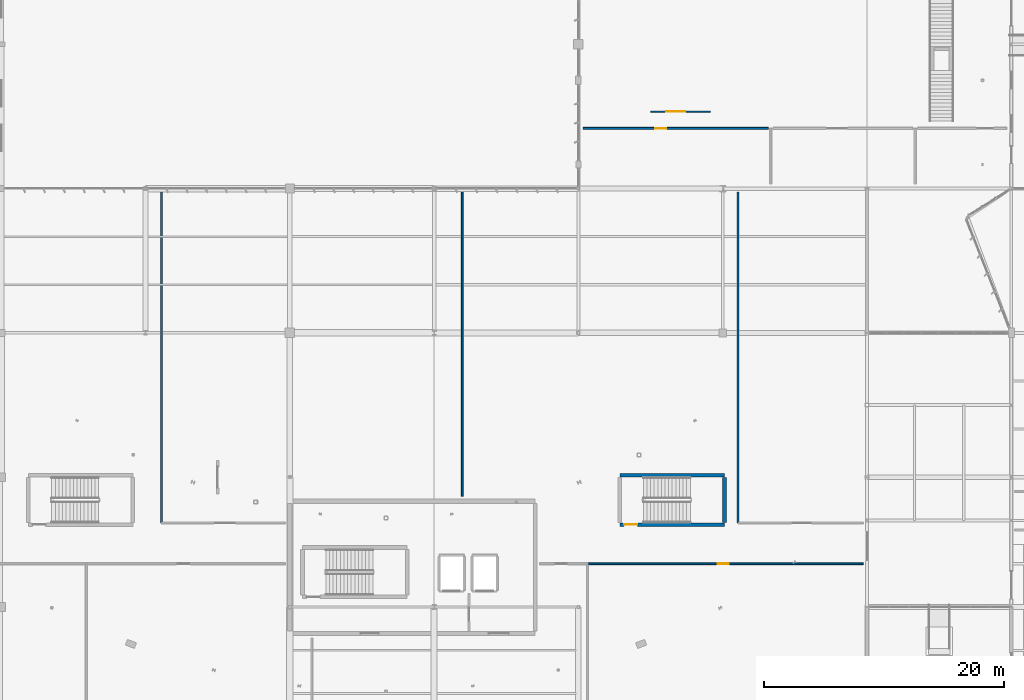
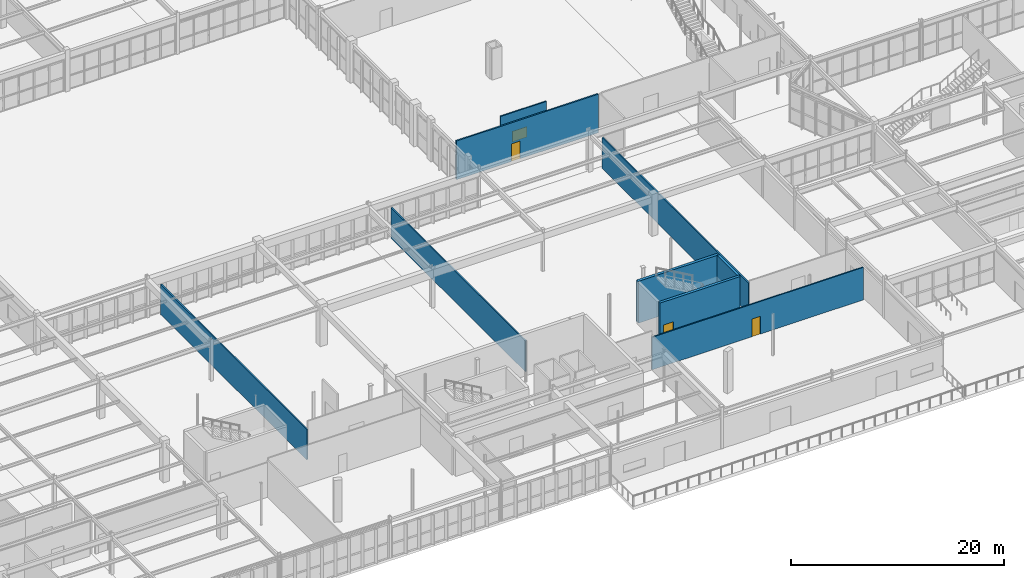
# One storey, part 162 of 199: 9 walls, 3 doors, 1 window, 4 openings.
"""IFC4 building model written with IfcOpenShell, lengths in metres."""

from ifc_helpers import new_model, si_unit, direction, frame, frame_2d, origin, place, context, subcontext, project, spatial, rectangle, extrude, material, layer, layer_set, type_object, element, fill, save


model = new_model("IFC4")

# Units and contexts
model_context = context("Model", 3, precision=1e-05, world=origin(), true_north=direction((0.0, 1.0)))
body_context = subcontext(model_context, "Body", "Model", "MODEL_VIEW")
ifc_project = project(units=[si_unit("LENGTHUNIT", "METRE"), si_unit("AREAUNIT", "SQUARE_METRE"), si_unit("VOLUMEUNIT", "CUBIC_METRE"), si_unit("PLANEANGLEUNIT", "RADIAN"), si_unit("MASSUNIT", "GRAM", prefix="KILO")], contexts=[model_context])

# Site, building, storey
site_placement = place(None, origin())
site = spatial("IfcSite", under=ifc_project, at=site_placement, CompositionType="ELEMENT")
building_placement = place(site_placement, origin())
building = spatial("IfcBuilding", under=site, at=building_placement, Name="Tarnwether General Hospital", CompositionType="ELEMENT")
storey_placement = place(building_placement, origin())
storey = spatial("IfcBuildingStorey", under=building, at=storey_placement, Name="L00", CompositionType="ELEMENT", Elevation=0.0)

# Wall, opening, door
ifc_material_1 = material(Name="Gypsum plasterboard")
ifc_layer_1 = layer(ifc_material_1, 0.139892578125)
ifc_layer_set_1 = layer_set([ifc_layer_1], Name="Gypsum plasterboard")
wall_type_1 = type_object("IfcWallType", Name="WL-PT140", PredefinedType="PARTITIONING", material=ifc_layer_set_1)
wall_1_placement = place(storey_placement, frame((108.764892578125, 14.39990234375, 0.0), z_axis=(0.0, 0.0, 1.0), x_axis=(1.0, 0.0, 0.0)))
wall_1 = element("IfcWall", 1, at=wall_1_placement, inside=storey, type_object=wall_type_1, Name="Interior Partition PT-L00-0114", PredefinedType="PARTITIONING", context=body_context, shape_type="SweptSolid", body=[
    extrude(rectangle(XDim=22.93505859375, YDim=0.139892578125, at=frame_2d((11.467529296875, 0.0))), origin(), (0.0, 0.0, 1.0), 3.738037109375),
])
opening_1_placement = place(wall_1_placement, frame((10.81689453125, 0.0, 0.0)))
opening_1 = element("IfcOpeningElement", 2, at=opening_1_placement, cuts=wall_1, Name="Opening D-12", PredefinedType="OPENING", context=body_context, shape_type="SweptSolid", body=[
    extrude(rectangle(XDim=0.919921875, YDim=2.0400390625, at=frame_2d((0.4599609375, 1.02001953125))), frame((0.0, 0.080078125, 0.0), z_axis=(0.0, -1.0, 0.0), x_axis=(1.0, 0.0, 0.0)), (0.0, 0.0, 1.0), 0.159912109375),
])
ifc_material_2 = material(Name="Anodised aluminium", Category="aluminium")
door_type_1 = type_object("IfcDoorType", Name="DR-IN12", OperationType="NOTDEFINED", PredefinedType="DOOR", material=ifc_material_2)
door_1_placement = place(opening_1_placement, origin())
door_1 = element("IfcDoor", 3, at=door_1_placement, inside=storey, type_object=door_type_1, Name="Interior Door DR-L00-0064", OperationType="SINGLE_SWING_RIGHT", OverallHeight=2.0400390625, OverallWidth=0.919921875, PredefinedType="DOOR", context=body_context, shape_type="SweptSolid", body=[
    extrude(rectangle(XDim=0.919921875, YDim=2.0400390625, at=frame_2d((0.4599609375, 1.02001953125))), frame((0.0, 0.02490234375, 0.0), z_axis=(0.0, -1.0, 0.0), x_axis=(1.0, 0.0, 0.0)), (0.0, 0.0, 1.0), 0.050048828125),
])
fill(opening_1, door_1)

# Walls
wall_2_placement = place(storey_placement, frame((73.320068359375, 17.800048828125, 0.0), z_axis=(0.0, 0.0, 1.0), x_axis=(0.0, 1.0, 0.0)))
element("IfcWall", 4, at=wall_2_placement, inside=storey, type_object=wall_type_1, Name="Interior Partition PT-L00-0115", PredefinedType="PARTITIONING", context=body_context, shape_type="SweptSolid", body=[
    extrude(rectangle(XDim=27.5, YDim=0.139892578125, at=frame_2d((13.75, 0.0))), origin(), (0.0, 0.0, 1.0), 3.47998046875),
])
wall_3_placement = place(storey_placement, frame((98.340087890625, 20.0, 0.0), z_axis=(0.0, 0.0, 1.0), x_axis=(0.0, 1.0, 0.0)))
element("IfcWall", 5, at=wall_3_placement, inside=storey, type_object=wall_type_1, Name="Interior Partition PT-L00-0117", PredefinedType="PARTITIONING", context=body_context, shape_type="SweptSolid", body=[
    extrude(rectangle(XDim=25.300048828125, YDim=0.139892578125, at=frame_2d((12.64990234375, 0.0))), origin(), (0.0, 0.0, 1.0), 3.530029296875),
])
wall_4_placement = place(storey_placement, frame((121.27490234375, 17.800048828125, 0.0), z_axis=(0.0, 0.0, 1.0), x_axis=(0.0, 1.0, 0.0)))
element("IfcWall", 6, at=wall_4_placement, inside=storey, type_object=wall_type_1, Name="Interior Partition PT-L00-0118", PredefinedType="PARTITIONING", context=body_context, shape_type="SweptSolid", body=[
    extrude(rectangle(XDim=27.5, YDim=0.139892578125, at=frame_2d((13.75, 0.0))), origin(), (0.0, 0.0, 1.0), 3.530029296875),
])

# Wall, opening, window
wall_5_placement = place(storey_placement, frame((114.0, 52.0, 0.0), z_axis=(0.0, 0.0, 1.0), x_axis=(1.0, 0.0, 0.0)))
wall_5 = element("IfcWall", 7, at=wall_5_placement, inside=storey, type_object=wall_type_1, Name="Clinical Observation Partition PT-OBS-L00-01", PredefinedType="PARTITIONING", context=body_context, shape_type="SweptSolid", body=[
    extrude(rectangle(XDim=5.0, YDim=0.139892578125, at=frame_2d((2.5, 0.0))), origin(), (0.0, 0.0, 1.0), 4.445068359375),
])
opening_2_placement = place(wall_5_placement, frame((1.300048828125, 0.0, 1.050048828125)))
opening_2 = element("IfcOpeningElement", 8, at=opening_2_placement, cuts=wall_5, Name="Opening W-26", PredefinedType="OPENING", context=body_context, shape_type="SweptSolid", body=[
    extrude(rectangle(XDim=1.60009765625, YDim=1.199951171875, at=frame_2d((0.800048828125, 0.60009765625))), frame((0.0, 0.080078125, 0.0), z_axis=(0.0, -1.0, 0.0), x_axis=(1.0, 0.0, 0.0)), (0.0, 0.0, 1.0), 0.159912109375),
])
ifc_material_3 = material(Name="Double glazed low-E glass", Category="glass")
window_type = type_object("IfcWindowType", Name="WN-26", PartitioningType="DOUBLE_PANEL_VERTICAL", PredefinedType="WINDOW", material=ifc_material_3)
window_placement = place(opening_2_placement, origin())
window = element("IfcWindow", 9, at=window_placement, inside=storey, type_object=window_type, Name="Internal Clinical Observation Window 01", OverallHeight=1.199951171875, OverallWidth=1.60009765625, PartitioningType="DOUBLE_PANEL_VERTICAL", PredefinedType="WINDOW", context=body_context, shape_type="SweptSolid", body=[
    extrude(rectangle(XDim=1.60009765625, YDim=1.199951171875, at=frame_2d((0.800048828125, 0.60009765625))), frame((0.0, 0.030029296875, 0.0), z_axis=(0.0, -1.0, 0.0), x_axis=(1.0, 0.0, 0.0)), (0.0, 0.0, 1.0), 0.06005859375),
])
fill(opening_2, window)

# Wall, opening, door
ifc_material_4 = material(Name="Gypsum plasterboard")
ifc_layer_2 = layer(ifc_material_4, 0.159912109375)
ifc_layer_set_2 = layer_set([ifc_layer_2], Name="Gypsum plasterboard")
wall_type_2 = type_object("IfcWallType", Name="WL-PT160", PredefinedType="PARTITIONING", material=ifc_layer_set_2)
wall_6_placement = place(storey_placement, frame((108.39990234375, 50.60009765625, 0.0), z_axis=(0.0, 0.0, 1.0), x_axis=(1.0, 0.0, 0.0)))
wall_6 = element("IfcWall", 10, at=wall_6_placement, inside=storey, type_object=wall_type_2, Name="Interior Partition PT-L00-0053", PredefinedType="PARTITIONING", context=body_context, shape_type="SweptSolid", body=[
    extrude(rectangle(XDim=15.400146484375, YDim=0.159912109375, at=frame_2d((7.7001953125, 0.0))), origin(), (0.0, 0.0, 1.0), 4.445068359375),
])
opening_3_placement = place(wall_6_placement, frame((6.0, 0.0, 0.0)))
opening_3 = element("IfcOpeningElement", 11, at=opening_3_placement, cuts=wall_6, Name="Opening D-12", PredefinedType="OPENING", context=body_context, shape_type="SweptSolid", body=[
    extrude(rectangle(XDim=0.919921875, YDim=2.0400390625, at=frame_2d((0.4599609375, 1.02001953125))), frame((0.0, 0.08984375, 0.0), z_axis=(0.0, -1.0, 0.0), x_axis=(1.0, 0.0, 0.0)), (0.0, 0.0, 1.0), 0.179931640625),
])
door_2_placement = place(opening_3_placement, origin())
door_2 = element("IfcDoor", 12, at=door_2_placement, inside=storey, type_object=door_type_1, Name="Interior Door DR-L00-0031", OperationType="SINGLE_SWING_LEFT", OverallHeight=2.0400390625, OverallWidth=0.919921875, PredefinedType="DOOR", context=body_context, shape_type="SweptSolid", body=[
    extrude(rectangle(XDim=0.919921875, YDim=2.0400390625, at=frame_2d((0.4599609375, 1.02001953125))), frame((0.0, 0.02490234375, 0.0), z_axis=(0.0, -1.0, 0.0), x_axis=(1.0, 0.0, 0.0)), (0.0, 0.0, 1.0), 0.050048828125),
])
fill(opening_3, door_2)

ifc_material_5 = material(Name="Concrete 50 MPa", Category="concrete")
ifc_layer_3 = layer(ifc_material_5, 0.300048828125)
ifc_layer_set_3 = layer_set([ifc_layer_3], Name="Concrete 50 MPa")
wall_type_3 = type_object("IfcWallType", Name="WL-SW300", PredefinedType="SHEAR", material=ifc_layer_set_3)
wall_7_placement = place(storey_placement, frame((111.449951171875, 17.64990234375, 0.0), z_axis=(0.0, 0.0, 1.0), x_axis=(1.0, 0.0, 0.0)))
wall_7 = element("IfcWall", 13, at=wall_7_placement, inside=storey, type_object=wall_type_3, Name="Stairwell Shear Wall STW-ST-10-L00-B", PredefinedType="SHEAR", context=body_context, shape_type="SweptSolid", body=[
    extrude(rectangle(XDim=8.699951171875, YDim=0.300048828125, at=frame_2d((4.35009765625, 0.0))), origin(), (0.0, 0.0, 1.0), 4.800048828125),
])
opening_4_placement = place(wall_7_placement, frame((0.35009765625, 0.0, 0.0)))
opening_4 = element("IfcOpeningElement", 14, at=opening_4_placement, cuts=wall_7, Name="Opening FD-06", PredefinedType="OPENING", context=body_context, shape_type="SweptSolid", body=[
    extrude(rectangle(XDim=1.10009765625, YDim=2.14990234375, at=frame_2d((0.550048828125, 1.074951171875))), frame((0.0, 0.16015625, 0.0), z_axis=(0.0, -1.0, 0.0), x_axis=(1.0, 0.0, 0.0)), (0.0, 0.0, 1.0), 0.320068359375),
])
ifc_material_6 = material(Name="Anodised aluminium", Category="aluminium")
door_type_2 = type_object("IfcDoorType", Name="DR-FD06", OperationType="NOTDEFINED", PredefinedType="DOOR", material=ifc_material_6)
door_3_placement = place(opening_4_placement, origin())
door_3 = element("IfcDoor", 15, at=door_3_placement, inside=storey, type_object=door_type_2, Name="Stairwell ST-10 Safe-Path Fire Door L00", OperationType="SINGLE_SWING_LEFT", OverallHeight=2.14990234375, OverallWidth=1.10009765625, PredefinedType="DOOR", context=body_context, shape_type="SweptSolid", body=[
    extrude(rectangle(XDim=1.10009765625, YDim=2.14990234375, at=frame_2d((0.550048828125, 1.074951171875))), frame((0.0, 0.02490234375, 0.0), z_axis=(0.0, -1.0, 0.0), x_axis=(1.0, 0.0, 0.0)), (0.0, 0.0, 1.0), 0.050048828125),
])
fill(opening_4, door_3)

# Walls
wall_8_placement = place(storey_placement, frame((120.14990234375, 21.75, 0.0), z_axis=(0.0, 0.0, 1.0), x_axis=(-1.0, 0.0, 0.0)))
element("IfcWall", 16, at=wall_8_placement, inside=storey, type_object=wall_type_3, Name="Stairwell Shear Wall STW-ST-10-L00-N", PredefinedType="SHEAR", context=body_context, shape_type="SweptSolid", body=[
    extrude(rectangle(XDim=8.699951171875, YDim=0.300048828125, at=frame_2d((4.35009765625, 0.0))), origin(), (0.0, 0.0, 1.0), 4.800048828125),
])
wall_9_placement = place(storey_placement, frame((120.14990234375, 17.820068359375, 0.0), z_axis=(0.0, 0.0, 1.0), x_axis=(0.0, 1.0, 0.0)))
element("IfcWall", 17, at=wall_9_placement, inside=storey, type_object=wall_type_3, Name="Stairwell Shear Wall STW-ST-10-L00-F", PredefinedType="SHEAR", context=body_context, shape_type="SweptSolid", body=[
    extrude(rectangle(XDim=3.760009765625, YDim=0.300048828125, at=frame_2d((1.8798828125, 0.0))), origin(), (0.0, 0.0, 1.0), 4.800048828125),
])

save(model, "model.ifc")
